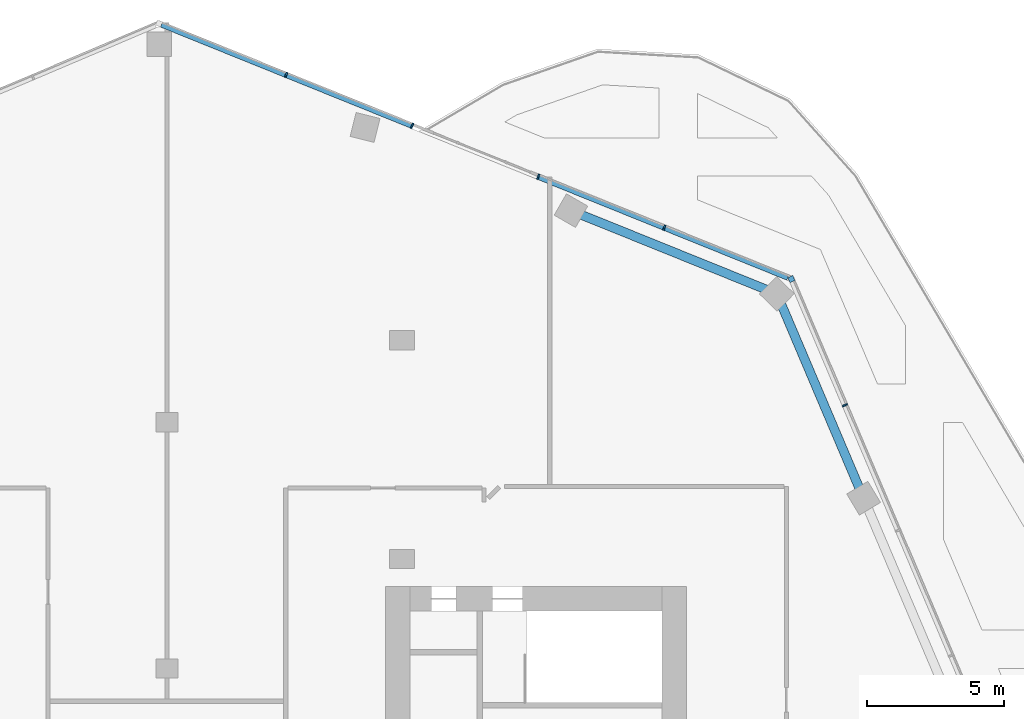
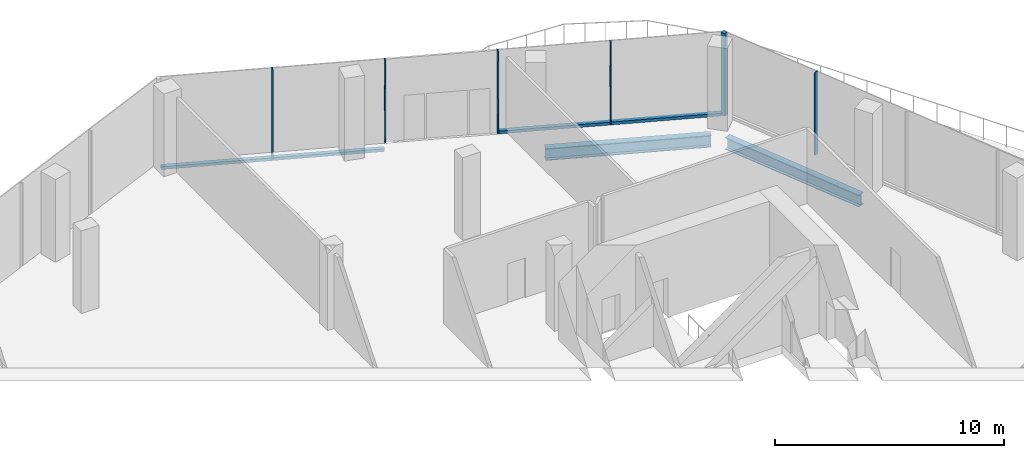
# One storey, part 9 of 15: 8 members, 2 beams, 2 elements without a shape of their own.
"""IFC4 building model written with IfcOpenShell, lengths in metres."""

import ifcopenshell
import ifcopenshell.guid

model = None  # the IFC model being written
_history = None  # IfcOwnerHistory: only IFC2X3 demands one
_inside = {}  # id of a spatial element -> (the spatial element, [elements in it])
_under = {}  # id of a project, library or spatial element -> (it, [spatial elements below it])
_declared = {}  # id of a project -> (the project, [libraries it declares])
_typed = {}  # id of a type object -> (the type object, [elements of that type])
_made_of = {}  # id of a material, layer set ... -> (it, [elements and type objects made of it])


def new_model(schema):
    """Start an empty IFC model of exactly this schema.

    Asked for "IFC4X3", IfcOpenShell would pick the latest addendum, in which some entities
    have other attributes; the version numbers below select the first issue.
    IFC2X3 requires an IfcOwnerHistory on every rooted entity: one is made here for all.
    """
    global model, _history
    if schema == "IFC4X3":
        model = ifcopenshell.file(schema_version=(4, 3, 0, 0))
    else:
        model = ifcopenshell.file(schema=schema)
    _inside.clear()
    _under.clear()
    _declared.clear()
    _typed.clear()
    _made_of.clear()
    _history = None
    if model.schema == "IFC2X3":
        org = make("IfcOrganization", Name="unknown")
        user = make(
            "IfcPersonAndOrganization",
            ThePerson=make("IfcPerson", FamilyName="unknown"),
            TheOrganization=org,
        )
        app = make(
            "IfcApplication",
            ApplicationDeveloper=org,
            Version="unknown",
            ApplicationFullName="unknown",
            ApplicationIdentifier="unknown",
        )
        _history = make(
            "IfcOwnerHistory",
            OwningUser=user,
            OwningApplication=app,
            ChangeAction="ADDED",
            CreationDate=0,
        )
    return model


def make(cls, **values):
    """One entity of the class cls with the attributes given. An attribute that is None is left unset."""
    return model.create_entity(
        cls, **{name: value for name, value in values.items() if value is not None}
    )


def rooted(cls, **values):
    """An entity with a GlobalId (a new one), such as an element, a storey or a relation."""
    return make(cls, GlobalId=ifcopenshell.guid.new(), OwnerHistory=_history, **values)


def si_unit(unit_type, name, prefix=None):
    """IfcSIUnit, for example si_unit("LENGTHUNIT", "METRE", prefix="MILLI")."""
    return make("IfcSIUnit", UnitType=unit_type, Prefix=prefix, Name=name)


def assignment(units):
    """IfcUnitAssignment: the units of a project."""
    return None if units is None else make("IfcUnitAssignment", Units=units)


def point(xyz):
    """IfcCartesianPoint."""
    return None if xyz is None else make("IfcCartesianPoint", Coordinates=xyz)


def direction(xyz):
    """IfcDirection."""
    return None if xyz is None else make("IfcDirection", DirectionRatios=xyz)


def frame(location, z_axis=None, x_axis=None):
    """IfcAxis2Placement3D, a coordinate frame: its origin and axes. An axis left out is left unset."""
    return make(
        "IfcAxis2Placement3D",
        Location=point(location),
        Axis=direction(z_axis),
        RefDirection=direction(x_axis),
    )


def frame_2d(location, x_axis=None):
    """IfcAxis2Placement2D, a coordinate frame in the plane: its origin and x axis."""
    return make(
        "IfcAxis2Placement2D", Location=point(location), RefDirection=direction(x_axis)
    )


def origin():
    """The frame at (0, 0, 0) with its axes left unset."""
    return frame((0.0, 0.0, 0.0))


def origin_2d():
    """The frame at (0, 0) in the plane with its x axis left unset."""
    return frame_2d((0.0, 0.0))


def place(relative_to, where):
    """IfcLocalPlacement: puts the frame where relative to a parent placement (None: the world)."""
    return make(
        "IfcLocalPlacement", PlacementRelTo=relative_to, RelativePlacement=where
    )


def context(
    kind, dimensions, precision=None, world=None, true_north=None, identifier=None
):
    """IfcGeometricRepresentationContext, for example the 3D "Model" context."""
    return make(
        "IfcGeometricRepresentationContext",
        ContextIdentifier=identifier,
        ContextType=kind,
        CoordinateSpaceDimension=dimensions,
        Precision=precision,
        WorldCoordinateSystem=world,
        TrueNorth=true_north,
    )


def subcontext(parent, identifier, kind, view, scale=None):
    """IfcGeometricRepresentationSubContext, for example "Body" below "Model"."""
    return make(
        "IfcGeometricRepresentationSubContext",
        ContextIdentifier=identifier,
        ContextType=kind,
        ParentContext=parent,
        TargetScale=scale,
        TargetView=view,
    )


def project(units=None, contexts=None):
    """IfcProject with its units and contexts."""
    return rooted(
        "IfcProject",
        Name="project",
        RepresentationContexts=contexts,
        UnitsInContext=assignment(units),
    )


def spatial(cls, under=None, at=None, **own):
    """A site, building, storey or space (cls), placed at a placement, below another one or the project."""
    s = rooted(cls, ObjectPlacement=at, **own)
    if under is not None:
        _under.setdefault(under.id(), (under, []))[1].append(s)
    return s


def profile(cls, at=None, kind="AREA", **sizes):
    """A parametric profile (cls). Its sizes go by their IFC names, for example OverallWidth=200.0."""
    return make(cls, ProfileType=kind, Position=at, **sizes)


def rectangle(**sizes):
    """IfcRectangleProfileDef."""
    return profile("IfcRectangleProfileDef", **sizes)


def i_section(**sizes):
    """IfcIShapeProfileDef."""
    return profile("IfcIShapeProfileDef", **sizes)


def extrude(swept, where, along, depth):
    """IfcExtrudedAreaSolid: the profile swept, set in the frame where, extruded along a direction by depth."""
    return make(
        "IfcExtrudedAreaSolid",
        SweptArea=swept,
        Position=where,
        ExtrudedDirection=direction(along),
        Depth=depth,
    )


def shape(context_of_items, identifier, shape_type, items):
    """IfcShapeRepresentation: the items that make up one representation, for example the "Body"."""
    return make(
        "IfcShapeRepresentation",
        ContextOfItems=context_of_items,
        RepresentationIdentifier=identifier,
        RepresentationType=shape_type,
        Items=items,
    )


def material(Name=None, Category=None):
    """IfcMaterial."""
    return make("IfcMaterial", Name=Name, Category=Category)


def material_profile(
    of_material, cross_section, Name=None, Category=None, Priority=None
):
    """IfcMaterialProfile: a cross section and its material."""
    return make(
        "IfcMaterialProfile",
        Name=Name,
        Material=of_material,
        Profile=cross_section,
        Priority=Priority,
        Category=Category,
    )


def profile_set(profiles, Name=None, composite=None):
    """IfcMaterialProfileSet."""
    return make(
        "IfcMaterialProfileSet",
        Name=Name,
        MaterialProfiles=profiles,
        CompositeProfile=composite,
    )


def made_of(thing, what):
    """Note that an element or type object is made of a material, layer set ...; save() writes the relation."""
    if what is not None:
        _made_of.setdefault(what.id(), (what, []))[1].append(thing)
    return thing


def type_object(cls, material=None, **own):
    """A type object (cls), such as IfcWallType, which elements share."""
    return made_of(rooted(cls, **own), material)


def element(
    cls,
    number,
    at=None,
    inside=None,
    cuts=None,
    type_object=None,
    material=None,
    context=None,
    identifier="Body",
    shape_type=None,
    held_by="IfcProductDefinitionShape",
    body=None,
    shapes=None,
    **own,
):
    """One element of the class cls, such as IfcWall. Its Tag is "e" and its number.

    at: its placement. inside: the storey or other place that contains it. cuts: it is an
    opening in that element (IfcRelVoidsElement). A single representation is given by context,
    identifier, shape_type and body (its items); several are given by shapes. held_by: the class
    of the entity that holds the representations. save() writes the other relations.
    """
    e = rooted(cls, Tag="e%d" % number, ObjectPlacement=at, **own)
    if body is not None:
        shapes = [shape(context, identifier, shape_type, body)]
    if shapes is not None:
        e.Representation = make(held_by, Representations=shapes)
    if inside is not None:
        _inside.setdefault(inside.id(), (inside, []))[1].append(e)
    if cuts is not None:
        rooted(
            "IfcRelVoidsElement", RelatingBuildingElement=cuts, RelatedOpeningElement=e
        )
    if type_object is not None:
        _typed.setdefault(type_object.id(), (type_object, []))[1].append(e)
    return made_of(e, material)


def aggregate(whole, parts):
    """IfcRelAggregates: a whole, such as a stair, and the parts it consists of."""
    return rooted("IfcRelAggregates", RelatingObject=whole, RelatedObjects=parts)


def save(model, path):
    """Write the relations noted so far, then the file.

    IfcRelAggregates (storeys below a building ...), IfcRelContainedInSpatialStructure (elements
    in a storey), IfcRelDefinesByType, IfcRelAssociatesMaterial and IfcRelDeclares: one each for
    every whole, place, type object, material and project.
    """
    for whole, parts in _under.values():
        aggregate(whole, parts)
    for where, things in _inside.values():
        rooted(
            "IfcRelContainedInSpatialStructure",
            RelatedElements=things,
            RelatingStructure=where,
        )
    for kind, things in _typed.values():
        rooted("IfcRelDefinesByType", RelatedObjects=things, RelatingType=kind)
    for what, things in _made_of.values():
        rooted("IfcRelAssociatesMaterial", RelatedObjects=things, RelatingMaterial=what)
    for by, libraries in _declared.values():
        rooted("IfcRelDeclares", RelatingContext=by, RelatedDefinitions=libraries)
    model.write(path)


model = new_model("IFC4")

# Units and contexts
model_context = context("Model", 3, precision=1e-05, world=origin(), true_north=direction((0.0, 1.0)))
body_context = subcontext(model_context, "Body", "Model", "MODEL_VIEW")
ifc_project = project(units=[si_unit("LENGTHUNIT", "METRE"), si_unit("AREAUNIT", "SQUARE_METRE"), si_unit("VOLUMEUNIT", "CUBIC_METRE"), si_unit("PLANEANGLEUNIT", "RADIAN"), si_unit("MASSUNIT", "GRAM", prefix="KILO")], contexts=[model_context])

# Site, building, storey
site_placement = place(None, origin())
site = spatial("IfcSite", under=ifc_project, at=site_placement, CompositionType="ELEMENT")
building_placement = place(site_placement, origin())
building = spatial("IfcBuilding", under=site, at=building_placement, Name="Orlundy Tower", CompositionType="ELEMENT")
storey_placement = place(building_placement, frame((0.0, 0.0, 299.89990234375)))
storey = spatial("IfcBuildingStorey", under=building, at=storey_placement, Name="L80", CompositionType="ELEMENT", Elevation=299.89990234375)

# Curtain wall, members
ifc_material_1 = material(Name="Aluminium bronze anodised", Category="aluminium")
curtain_wall_type = type_object("IfcCurtainWallType", Name="CW4 wall", PredefinedType="NOTDEFINED", material=ifc_material_1)
curtain_wall_1_placement = place(storey_placement, origin())
curtain_wall_1 = element("IfcCurtainWall", 1, at=curtain_wall_1_placement, inside=storey, type_object=curtain_wall_type, Name="CW4 run 00", PredefinedType="NOTDEFINED")
ifc_material_2 = material(Name="Aluminium bronze anodised", Category="aluminium")
ifc_material_profile_1 = material_profile(ifc_material_2, rectangle(XDim=0.199951171875, YDim=0.199951171875, at=origin_2d()), Name="CW4 corner post 200x200")
ifc_profile_set_1 = profile_set([ifc_material_profile_1], Name="Aluminium bronze anodised")
member_type_1 = type_object("IfcMemberType", Name="CW4 corner post 200x200", PredefinedType="MULLION", material=ifc_profile_set_1)
member_1_placement = place(storey_placement, frame((22.8359375, 23.23828125, 0.0), z_axis=(0.0, 0.0, 1.0), x_axis=(0.920506804854, 0.390726531244, 0.0)))
member_1 = element("IfcMember", 2, at=member_1_placement, type_object=member_type_1, Name="CW4 mullion 1", PredefinedType="MULLION", context=body_context, shape_type="SweptSolid", body=[
    extrude(rectangle(XDim=0.199951171875, YDim=0.199951171875, at=origin_2d()), origin(), (0.0, 0.0, 1.0), 4.400146484375),
])
ifc_material_3 = material(Name="Aluminium bronze anodised", Category="aluminium")
ifc_material_profile_2 = material_profile(ifc_material_3, rectangle(XDim=0.199951171875, YDim=0.06005859375, at=origin_2d()), Name="CW4 mullion 60x200")
ifc_profile_set_2 = profile_set([ifc_material_profile_2], Name="Aluminium bronze anodised")
member_type_2 = type_object("IfcMemberType", Name="CW4 mullion 60x200", PredefinedType="MULLION", material=ifc_profile_set_2)
member_2_placement = place(storey_placement, frame((24.794189453125, 18.62451171875, 0.0), z_axis=(0.0, 0.0, 1.0), x_axis=(0.920506804854, 0.390726531244, 0.0)))
member_2 = element("IfcMember", 3, at=member_2_placement, type_object=member_type_2, Name="CW4 mullion 2", PredefinedType="MULLION", context=body_context, shape_type="SweptSolid", body=[
    extrude(rectangle(XDim=0.199951171875, YDim=0.06005859375, at=origin_2d()), origin(), (0.0, 0.0, 1.0), 4.400146484375),
])
aggregate(curtain_wall_1, [member_1, member_2])

curtain_wall_2_placement = place(storey_placement, origin())
curtain_wall_2 = element("IfcCurtainWall", 4, at=curtain_wall_2_placement, inside=storey, type_object=curtain_wall_type, Name="CW4 run 07", PredefinedType="NOTDEFINED")
member_3_placement = place(storey_placement, frame((4.363037109375, 30.70166015625, -0.449951171875), z_axis=(0.0, 0.0, 1.0), x_axis=(0.374607412456, 0.927183523653, 0.0)))
member_3 = element("IfcMember", 5, at=member_3_placement, type_object=member_type_2, Name="CW4 mullion 37", PredefinedType="MULLION", context=body_context, shape_type="SweptSolid", body=[
    extrude(rectangle(XDim=0.199951171875, YDim=0.06005859375, at=origin_2d()), origin(), (0.0, 0.0, 1.0), 4.85009765625),
])
member_4_placement = place(storey_placement, frame((8.9716796875, 28.839599609375, 0.0), z_axis=(0.0, 0.0, 1.0), x_axis=(0.374607412456, 0.927183523653, 0.0)))
member_4 = element("IfcMember", 6, at=member_4_placement, type_object=member_type_2, Name="CW4 mullion 38", PredefinedType="MULLION", context=body_context, shape_type="SweptSolid", body=[
    extrude(rectangle(XDim=0.199951171875, YDim=0.06005859375, at=origin_2d()), origin(), (0.0, 0.0, 1.0), 4.400146484375),
])
member_5_placement = place(storey_placement, frame((13.580322265625, 26.977783203125, 0.0), z_axis=(0.0, 0.0, 1.0), x_axis=(0.374607412456, 0.927183523653, 0.0)))
member_5 = element("IfcMember", 7, at=member_5_placement, type_object=member_type_2, Name="CW4 mullion 39", PredefinedType="MULLION", context=body_context, shape_type="SweptSolid", body=[
    extrude(rectangle(XDim=0.199951171875, YDim=0.06005859375, at=origin_2d()), origin(), (0.0, 0.0, 1.0), 4.400146484375),
])
member_6_placement = place(storey_placement, frame((18.18896484375, 25.11572265625, 0.0), z_axis=(0.0, 0.0, 1.0), x_axis=(0.374607412456, 0.927183523653, 0.0)))
member_6 = element("IfcMember", 8, at=member_6_placement, type_object=member_type_2, Name="CW4 mullion 40", PredefinedType="MULLION", context=body_context, shape_type="SweptSolid", body=[
    extrude(rectangle(XDim=0.199951171875, YDim=0.06005859375, at=origin_2d()), origin(), (0.0, 0.0, 1.0), 4.400146484375),
])
ifc_material_4 = material(Name="Aluminium bronze anodised", Category="aluminium")
ifc_material_profile_3 = material_profile(ifc_material_4, rectangle(XDim=0.199951171875, YDim=0.14990234375, at=origin_2d()), Name="CW4 transom 200x150")
ifc_profile_set_3 = profile_set([ifc_material_profile_3], Name="Aluminium bronze anodised")
member_type_3 = type_object("IfcMemberType", Name="CW4 transom 200x150", PredefinedType="USERDEFINED", material=ifc_profile_set_3)
member_7_placement = place(storey_placement, frame((-0.191162109375, 32.541748046875, -0.375), z_axis=(0.927187721469, -0.374597022355, 0.0), x_axis=(0.374597022355, 0.927187721469, 0.0)))
member_7 = element("IfcMember", 9, at=member_7_placement, type_object=member_type_3, Name="CW4 transom", ObjectType="TRANSOM", PredefinedType="USERDEFINED", context=body_context, shape_type="SweptSolid", body=[
    extrude(rectangle(XDim=0.199951171875, YDim=0.14990234375, at=origin_2d()), origin(), (0.0, 0.0, 1.0), 9.852294921875),
])
member_8_placement = place(storey_placement, frame((13.608154296875, 26.966552734375, 0.0751953125), z_axis=(0.927184003007, -0.374606226014, 0.0), x_axis=(0.374606226014, 0.927184003007, 0.0)))
member_8 = element("IfcMember", 10, at=member_8_placement, type_object=member_type_3, Name="CW4 transom", ObjectType="TRANSOM", PredefinedType="USERDEFINED", context=body_context, shape_type="SweptSolid", body=[
    extrude(rectangle(XDim=0.199951171875, YDim=0.14990234375, at=origin_2d()), origin(), (0.0, 0.0, 1.0), 9.81103515625),
])
aggregate(curtain_wall_2, [member_3, member_4, member_5, member_6, member_7, member_8])

# Beams
ifc_material_5 = material(Name="Steel ASTM A992 Gr 50", Category="steel")
ifc_material_profile_4 = material_profile(ifc_material_5, i_section(OverallWidth=0.3291015625, OverallDepth=0.635009765625, WebThickness=0.017822265625, FlangeThickness=0.031005859375, at=origin_2d()), Name="W24X162")
ifc_profile_set_4 = profile_set([ifc_material_profile_4], Name="Steel ASTM A992 Gr 50")
beam_type = type_object("IfcBeamType", Name="TERRACE EDGE BEAM beam W24X162", PredefinedType="BEAM", material=ifc_profile_set_4)
beam_1_placement = place(storey_placement, frame((25.31884765625, 15.5966796875, -0.767333984375), z_axis=(-0.390735995917, 0.920502787337, 0.0), x_axis=(-0.920502787337, -0.390735995917, 0.0)))
element("IfcBeam", 11, at=beam_1_placement, inside=storey, type_object=beam_type, Name="Terrace edge beam L80-1-03", PredefinedType="BEAM", context=body_context, shape_type="SweptSolid", body=[
    extrude(i_section(OverallWidth=0.3291015625, OverallDepth=0.635009765625, WebThickness=0.017822265625, FlangeThickness=0.031005859375, at=origin_2d()), origin(), (0.0, 0.0, 1.0), 7.30859375),
])
beam_2_placement = place(storey_placement, frame((21.929443359375, 22.8486328125, -0.767333984375), z_axis=(-0.927148582578, 0.374693882821, 0.0), x_axis=(-0.374693882821, -0.927148582578, 0.0)))
element("IfcBeam", 12, at=beam_2_placement, inside=storey, type_object=beam_type, Name="Terrace edge beam L80-1-04", PredefinedType="BEAM", context=body_context, shape_type="SweptSolid", body=[
    extrude(i_section(OverallWidth=0.3291015625, OverallDepth=0.635009765625, WebThickness=0.017822265625, FlangeThickness=0.031005859375, at=origin_2d()), origin(), (0.0, 0.0, 1.0), 7.309326171875),
])

save(model, "model.ifc")
